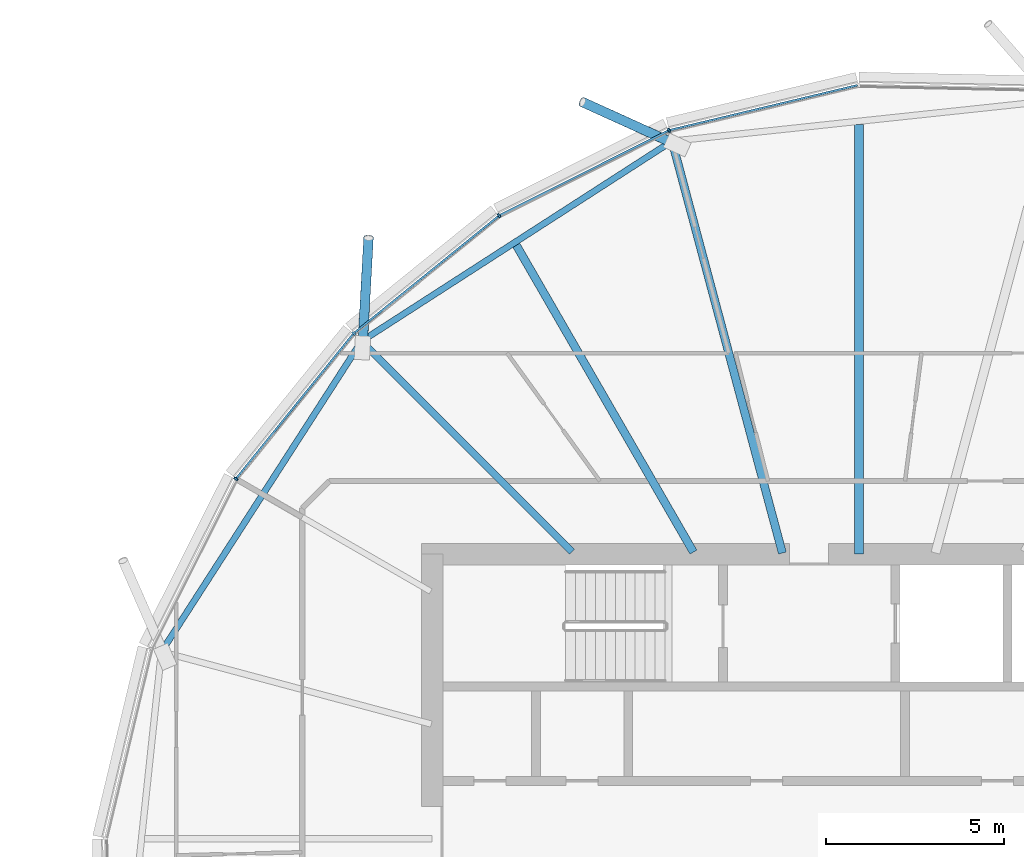
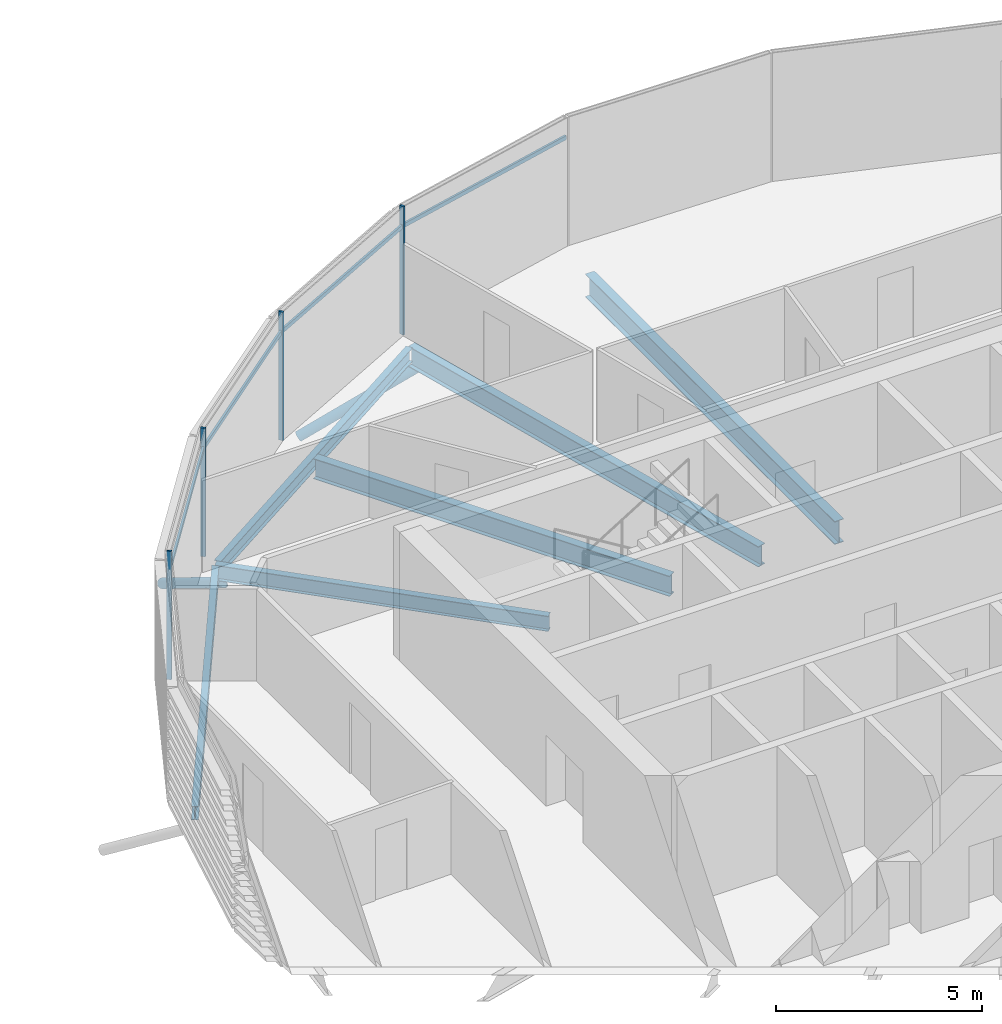
# One storey, part 16 of 37: 10 members, 6 beams, 1 element without a shape of its own.
"""IFC4 building model written with IfcOpenShell, lengths in metres."""

from ifc_helpers import new_model, si_unit, direction, frame, origin, origin_2d, place, context, subcontext, project, spatial, rectangle, hollow_circle, i_section, extrude, clip, halfspace, material, material_profile, profile_set, type_object, element, aggregate, save


model = new_model("IFC4")

# Units and contexts
model_context = context("Model", 3, precision=1e-05, world=origin(), true_north=direction((0.0, 1.0)))
body_context = subcontext(model_context, "Body", "Model", "MODEL_VIEW")
ifc_project = project(units=[si_unit("LENGTHUNIT", "METRE"), si_unit("AREAUNIT", "SQUARE_METRE"), si_unit("VOLUMEUNIT", "CUBIC_METRE"), si_unit("PLANEANGLEUNIT", "RADIAN"), si_unit("MASSUNIT", "GRAM", prefix="KILO")], contexts=[model_context])

# Site, building, storey
site_placement = place(None, origin())
site = spatial("IfcSite", under=ifc_project, at=site_placement, CompositionType="ELEMENT")
building_placement = place(site_placement, origin())
building = spatial("IfcBuilding", under=site, at=building_placement, Name="Rimbun Link Towers", CompositionType="ELEMENT")
storey_placement = place(building_placement, frame((0.0, 0.0, 166.5)))
storey = spatial("IfcBuildingStorey", under=building, at=storey_placement, Name="L40", CompositionType="ELEMENT", Elevation=166.5)

# Curtain wall, members
ifc_material_1 = material(Name="Aluminium 6063-T6 and low-iron glass", Category="aluminium")
curtain_wall_type = type_object("IfcCurtainWallType", Name="CW1-Z3 unitised vision wall (zone 3)", PredefinedType="NOTDEFINED", material=ifc_material_1)
curtain_wall_placement = place(storey_placement, origin())
curtain_wall = element("IfcCurtainWall", 1, at=curtain_wall_placement, inside=storey, type_object=curtain_wall_type, Name="CW1 L40 T2", PredefinedType="NOTDEFINED")
ifc_material_2 = material(Name="Aluminium 6063-T6", Category="aluminium")
ifc_material_profile_1 = material_profile(ifc_material_2, rectangle(XDim=0.1201171875, YDim=0.06005859375, at=origin_2d()), Name="MULLION 60X120")
ifc_profile_set_1 = profile_set([ifc_material_profile_1], Name="Aluminium 6063-T6")
member_type_1 = type_object("IfcMemberType", Name="CW1 mullion 60X120", PredefinedType="MULLION", material=ifc_profile_set_1)
member_1_placement = place(storey_placement, frame((26.408203125, 19.915771484375, 0.0), z_axis=(0.0, 0.0, 1.0), x_axis=(-0.342965997761, 0.939347818638, 0.0)))
member_1 = element("IfcMember", 2, at=member_1_placement, type_object=member_type_1, Name="CW1 mullion", PredefinedType="MULLION", context=body_context, shape_type="SweptSolid", body=[
    extrude(rectangle(XDim=0.1201171875, YDim=0.06005859375, at=origin_2d()), origin(), (0.0, 0.0, 1.0), 3.800048828125),
])
member_2_placement = place(storey_placement, frame((21.632568359375, 17.517822265625, 0.0), z_axis=(0.0, 0.0, 1.0), x_axis=(-0.542099635168, 0.840314218344, 0.0)))
member_2 = element("IfcMember", 3, at=member_2_placement, type_object=member_type_1, Name="CW1 mullion", PredefinedType="MULLION", context=body_context, shape_type="SweptSolid", body=[
    extrude(rectangle(XDim=0.1201171875, YDim=0.06005859375, at=origin_2d()), origin(), (0.0, 0.0, 1.0), 3.800048828125),
])
member_3_placement = place(storey_placement, frame((17.542724609375, 14.207275390625, 0.0), z_axis=(0.0, 0.0, 1.0), x_axis=(-0.707106781187, 0.707106781187, 0.0)))
member_3 = element("IfcMember", 4, at=member_3_placement, type_object=member_type_1, Name="CW1 mullion", PredefinedType="MULLION", context=body_context, shape_type="SweptSolid", body=[
    extrude(rectangle(XDim=0.1201171875, YDim=0.06005859375, at=origin_2d()), origin(), (0.0, 0.0, 1.0), 3.800048828125),
])
member_4_placement = place(storey_placement, frame((14.232177734375, 10.117431640625, 0.0), z_axis=(0.0, 0.0, 1.0), x_axis=(-0.840314218344, 0.542099635168, 0.0)))
member_4 = element("IfcMember", 5, at=member_4_placement, type_object=member_type_1, Name="CW1 mullion", PredefinedType="MULLION", context=body_context, shape_type="SweptSolid", body=[
    extrude(rectangle(XDim=0.1201171875, YDim=0.06005859375, at=origin_2d()), origin(), (0.0, 0.0, 1.0), 3.800048828125),
])
ifc_material_3 = material(Name="Aluminium 6063-T6", Category="aluminium")
ifc_material_profile_2 = material_profile(ifc_material_3, rectangle(XDim=0.06005859375, YDim=0.1201171875, at=origin_2d()), Name="TRANSOM 60X120")
ifc_profile_set_2 = profile_set([ifc_material_profile_2], Name="Aluminium 6063-T6")
member_type_2 = type_object("IfcMemberType", Name="CW1 transom 60X120", PredefinedType="USERDEFINED", material=ifc_profile_set_2)
member_5_placement = place(storey_placement, frame((26.4443359375, 19.9228515625, 3.199951171875), z_axis=(0.972568019969, 0.232618671938, 0.0), x_axis=(-0.232618671938, 0.972568019969, 0.0)))
member_5 = element("IfcMember", 6, at=member_5_placement, type_object=member_type_2, Name="CW1 transom", ObjectType="TRANSOM", PredefinedType="USERDEFINED", context=body_context, shape_type="SweptSolid", body=[
    extrude(rectangle(XDim=0.06005859375, YDim=0.1201171875, at=origin_2d()), origin(), (0.0, 0.0, 1.0), 5.411376953125),
])
member_6_placement = place(storey_placement, frame((21.666015625, 17.53271484375, 3.199951171875), z_axis=(0.893647624067, 0.448769343871, 0.0), x_axis=(-0.448769343871, 0.893647624067, 0.0)))
member_6 = element("IfcMember", 7, at=member_6_placement, type_object=member_type_2, Name="CW1 transom", ObjectType="TRANSOM", PredefinedType="USERDEFINED", context=body_context, shape_type="SweptSolid", body=[
    extrude(rectangle(XDim=0.06005859375, YDim=0.1201171875, at=origin_2d()), origin(), (0.0, 0.0, 1.0), 5.2705078125),
])
member_7_placement = place(storey_placement, frame((17.572021484375, 14.228759765625, 3.199951171875), z_axis=(0.77727116505, 0.629165746033, 0.0), x_axis=(-0.629165746033, 0.77727116505, 0.0)))
member_7 = element("IfcMember", 8, at=member_7_placement, type_object=member_type_2, Name="CW1 transom", ObjectType="TRANSOM", PredefinedType="USERDEFINED", context=body_context, shape_type="SweptSolid", body=[
    extrude(rectangle(XDim=0.06005859375, YDim=0.1201171875, at=origin_2d()), origin(), (0.0, 0.0, 1.0), 5.189208984375),
])
member_8_placement = place(storey_placement, frame((14.25634765625, 10.14453125, 3.199951171875), z_axis=(0.629165746033, 0.77727116505, 0.0), x_axis=(-0.77727116505, 0.629165746033, 0.0)))
member_8 = element("IfcMember", 9, at=member_8_placement, type_object=member_type_2, Name="CW1 transom", ObjectType="TRANSOM", PredefinedType="USERDEFINED", context=body_context, shape_type="SweptSolid", body=[
    extrude(rectangle(XDim=0.06005859375, YDim=0.1201171875, at=origin_2d()), origin(), (0.0, 0.0, 1.0), 5.189208984375),
])
aggregate(curtain_wall, [member_1, member_2, member_3, member_4, member_5, member_6, member_7, member_8])

# Members
ifc_material_4 = material(Name="Steel S355J2H", Category="steel")
ifc_material_profile_3 = material_profile(ifc_material_4, hollow_circle(Radius=0.136474609375, WallThickness=0.012451171875, at=origin_2d()), Name="CHS 273x12.5")
ifc_profile_set_3 = profile_set([ifc_material_profile_3], Name="Steel S355J2H")
member_type_3 = type_object("IfcMemberType", Name="Floor edge link CHS 273x12.5", PredefinedType="BRACE", material=ifc_profile_set_3)
member_9_placement = place(storey_placement, frame((26.5078125, 19.564697265625, -0.867431640625), z_axis=(-0.766236133686, 0.347438931161, -0.540526018381), x_axis=(-0.412965241612, -0.910746786555, 0.0)))
element("IfcMember", 10, at=member_9_placement, inside=storey, type_object=member_type_3, Name="Floor edge link T2 L40 04", PredefinedType="BRACE", context=body_context, shape_type="Clipping", body=[
    clip(extrude(hollow_circle(Radius=0.136474609375, WallThickness=0.012451171875, at=origin_2d()), frame((0.0, 0.0, -0.443359375)), (0.0, 0.0, 1.0), 3.7587890625), halfspace(frame((0.0, 0.0, -0.208740234375), z_axis=(0.0, 0.84132729865, -0.540526018381)), False)),
])
member_10_placement = place(storey_placement, frame((17.79833984375, 13.95166015625, -0.718994140625), z_axis=(0.046674601997, 0.843840524886, -0.534560239907), x_axis=(-0.998473786225, 0.055227694335, 0.0)))
element("IfcMember", 11, at=member_10_placement, inside=storey, type_object=member_type_3, Name="Floor edge link T2 L40 06", PredefinedType="BRACE", context=body_context, shape_type="Clipping", body=[
    clip(extrude(hollow_circle(Radius=0.136474609375, WallThickness=0.012451171875, at=origin_2d()), frame((0.0, 0.0, -0.4501953125)), (0.0, 0.0, 1.0), 3.94970703125), halfspace(frame((0.0, 0.0, -0.21240234375), z_axis=(0.0, 0.845130374505, -0.534560239907)), False)),
])

# Beams
ifc_material_5 = material(Name="Steel S355J2", Category="steel")
ifc_material_profile_4 = material_profile(ifc_material_5, i_section(OverallWidth=0.177978515625, OverallDepth=0.406494140625, WebThickness=0.0078125, FlangeThickness=0.0126953125, at=origin_2d()), Name="UB 406x178x60")
ifc_profile_set_4 = profile_set([ifc_material_profile_4], Name="Steel S355J2")
beam_type_1 = type_object("IfcBeamType", Name="UB 406x178x60", PredefinedType="BEAM", material=ifc_profile_set_4)
beam_1_placement = place(storey_placement, frame((26.393310546875, 19.547607421875, -0.353271484375), z_axis=(-0.840628851377, -0.541611608288, 0.0), x_axis=(0.541611608288, -0.840628851377, 0.0)))
element("IfcBeam", 12, at=beam_1_placement, inside=storey, type_object=beam_type_1, Name="Edge beam T2 L40 04-06", PredefinedType="BEAM", context=body_context, shape_type="SweptSolid", body=[
    extrude(i_section(OverallWidth=0.177978515625, OverallDepth=0.406494140625, WebThickness=0.0078125, FlangeThickness=0.0126953125, at=origin_2d()), origin(), (0.0, 0.0, 1.0), 10.16845703125),
])
beam_2_placement = place(storey_placement, frame((17.709716796875, 13.904541015625, -0.353271484375), z_axis=(-0.541611838364, -0.840628703141, 0.0), x_axis=(0.840628703141, -0.541611838364, 0.0)))
element("IfcBeam", 13, at=beam_2_placement, inside=storey, type_object=beam_type_1, Name="Edge beam T2 L40 06-08", PredefinedType="BEAM", context=body_context, shape_type="SweptSolid", body=[
    extrude(i_section(OverallWidth=0.177978515625, OverallDepth=0.406494140625, WebThickness=0.0078125, FlangeThickness=0.0126953125, at=origin_2d()), origin(), (0.0, 0.0, 1.0), 10.194580078125),
])
ifc_material_6 = material(Name="Steel S355J2", Category="steel")
ifc_material_profile_5 = material_profile(ifc_material_6, i_section(OverallWidth=0.18994140625, OverallDepth=0.453369140625, WebThickness=0.008544921875, FlangeThickness=0.0126953125, at=origin_2d()), Name="UB 457x191x67")
ifc_profile_set_5 = profile_set([ifc_material_profile_5], Name="Steel S355J2")
beam_type_2 = type_object("IfcBeamType", Name="UB 457x191x67", PredefinedType="BEAM", material=ifc_profile_set_5)
beam_3_placement = place(storey_placement, frame((23.68212890625, 8.06787109375, -0.376708984375), z_axis=(-0.707106781187, 0.707106781187, 0.0), x_axis=(-0.707106781187, -0.707106781187, 0.0)))
element("IfcBeam", 14, at=beam_3_placement, inside=storey, type_object=beam_type_2, Name="Radial beam T2 L40 06", PredefinedType="BEAM", context=body_context, shape_type="SweptSolid", body=[
    extrude(i_section(OverallWidth=0.18994140625, OverallDepth=0.453369140625, WebThickness=0.008544921875, FlangeThickness=0.0126953125, at=origin_2d()), origin(), (0.0, 0.0, 1.0), 8.37109375),
])
ifc_material_7 = material(Name="Steel S355J2", Category="steel")
ifc_material_profile_6 = material_profile(ifc_material_7, i_section(OverallWidth=0.2275390625, OverallDepth=0.6025390625, WebThickness=0.010498046875, FlangeThickness=0.014892578125, at=origin_2d()), Name="UB 610x229x101")
ifc_profile_set_6 = profile_set([ifc_material_profile_6], Name="Steel S355J2")
beam_type_3 = type_object("IfcBeamType", Name="UB 610x229x101", PredefinedType="BEAM", material=ifc_profile_set_6)
beam_4_placement = place(storey_placement, frame((29.598388671875, 8.030517578125, -0.451416015625), z_axis=(-0.258842265684, 0.965919604054, 0.0), x_axis=(-0.965919604054, -0.258842265684, 0.0)))
element("IfcBeam", 15, at=beam_4_placement, inside=storey, type_object=beam_type_3, Name="Radial beam T2 L40 04", PredefinedType="BEAM", context=body_context, shape_type="SweptSolid", body=[
    extrude(i_section(OverallWidth=0.2275390625, OverallDepth=0.6025390625, WebThickness=0.010498046875, FlangeThickness=0.014892578125, at=origin_2d()), origin(), (0.0, 0.0, 1.0), 11.990966796875),
])
beam_5_placement = place(storey_placement, frame((27.097900390625, 8.057861328125, -0.451416015625), z_axis=(-0.500010957915, 0.866019077137, 0.0), x_axis=(-0.866019077137, -0.500010957915, 0.0)))
element("IfcBeam", 16, at=beam_5_placement, inside=storey, type_object=beam_type_3, Name="Radial beam T2 L40 05", PredefinedType="BEAM", context=body_context, shape_type="SweptSolid", body=[
    extrude(i_section(OverallWidth=0.2275390625, OverallDepth=0.6025390625, WebThickness=0.010498046875, FlangeThickness=0.014892578125, at=origin_2d()), origin(), (0.0, 0.0, 1.0), 9.962158203125),
])
ifc_material_8 = material(Name="Steel S355J2", Category="steel")
ifc_material_profile_7 = material_profile(ifc_material_8, i_section(OverallWidth=0.253662109375, OverallDepth=0.68359375, WebThickness=0.012451171875, FlangeThickness=0.01904296875, at=origin_2d()), Name="UB 686x254x140")
ifc_profile_set_7 = profile_set([ifc_material_profile_7], Name="Steel S355J2")
beam_type_4 = type_object("IfcBeamType", Name="UB 686x254x140", PredefinedType="BEAM", material=ifc_profile_set_7)
beam_6_placement = place(storey_placement, frame((31.75, 8.0009765625, -0.49169921875), z_axis=(0.0, 1.0, 0.0), x_axis=(-1.0, 0.0, 0.0)))
element("IfcBeam", 17, at=beam_6_placement, inside=storey, type_object=beam_type_4, Name="Radial beam T2 L40 03", PredefinedType="BEAM", context=body_context, shape_type="SweptSolid", body=[
    extrude(i_section(OverallWidth=0.253662109375, OverallDepth=0.68359375, WebThickness=0.012451171875, FlangeThickness=0.01904296875, at=origin_2d()), origin(), (0.0, 0.0, 1.0), 12.0810546875),
])

save(model, "model.ifc")
